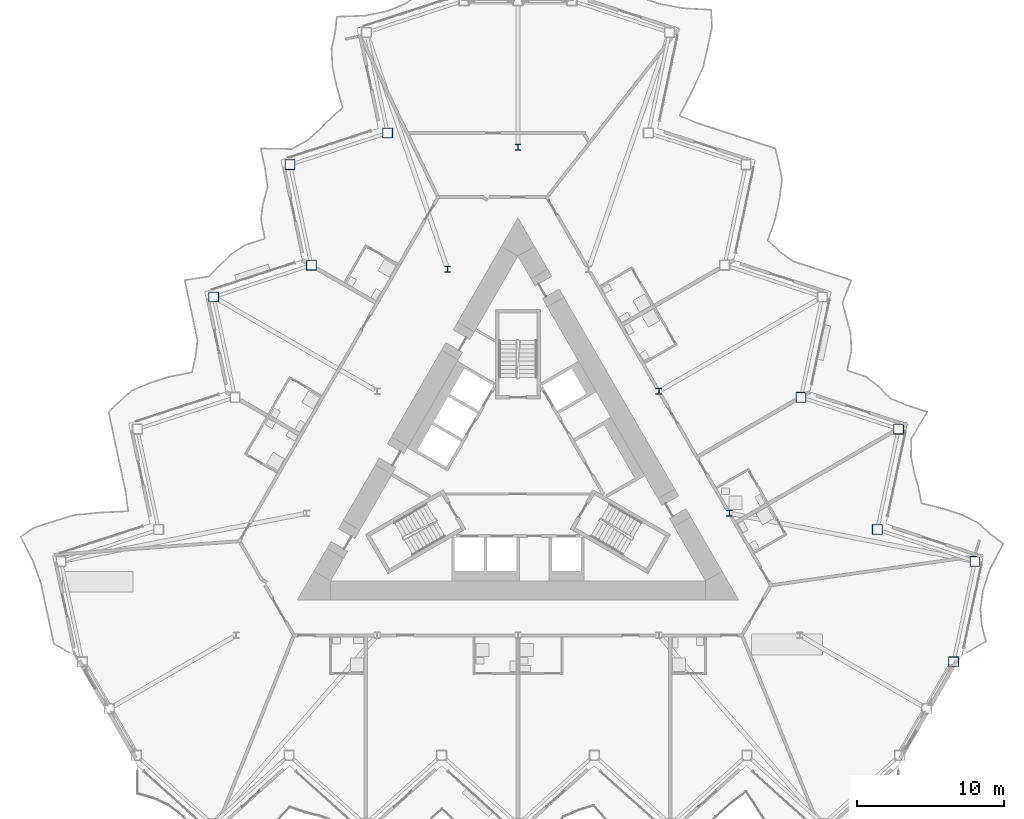
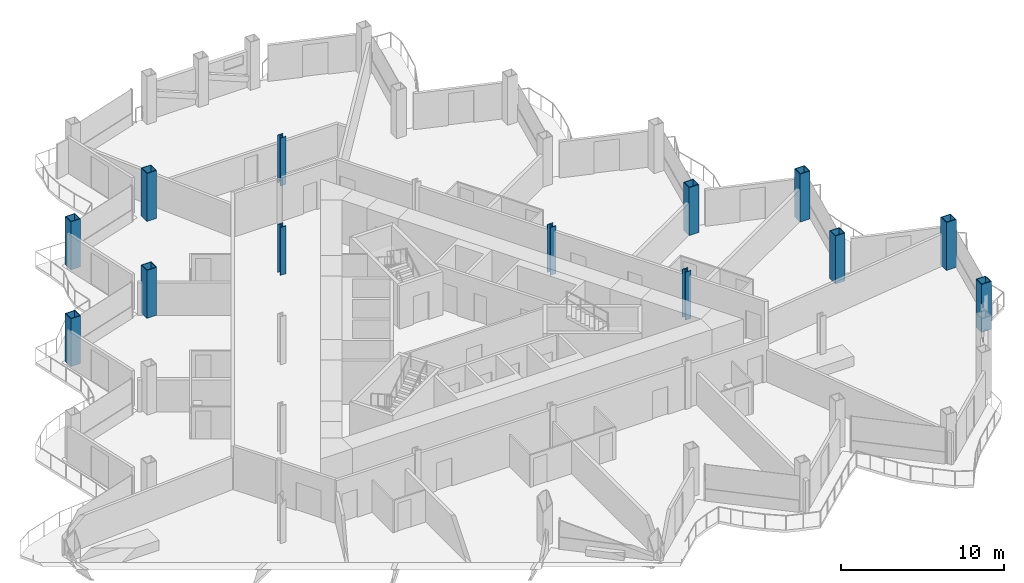
# One storey, part 2 of 24: 13 columns.
"""IFC4 building model written with IfcOpenShell, lengths in metres."""

from ifc_helpers import new_model, si_unit, direction, frame, origin, origin_2d, place, context, subcontext, project, spatial, hollow_rectangle, i_section, extrude, material, material_profile, profile_set, type_object, element, save


model = new_model("IFC4")

# Units and contexts
model_context = context("Model", 3, precision=1e-05, world=origin(), true_north=direction((0.0, 1.0)))
body_context = subcontext(model_context, "Body", "Model", "MODEL_VIEW")
ifc_project = project(units=[si_unit("LENGTHUNIT", "METRE"), si_unit("AREAUNIT", "SQUARE_METRE"), si_unit("VOLUMEUNIT", "CUBIC_METRE"), si_unit("PLANEANGLEUNIT", "RADIAN"), si_unit("MASSUNIT", "GRAM", prefix="KILO")], contexts=[model_context])

# Site, building, storey
site_placement = place(None, origin())
site = spatial("IfcSite", under=ifc_project, at=site_placement, CompositionType="ELEMENT")
building_placement = place(site_placement, origin())
building = spatial("IfcBuilding", under=site, at=building_placement, Name="Cormorant Prow Tower", CompositionType="ELEMENT")
storey_placement = place(building_placement, frame((0.0, 0.0, 234.60009765625)))
storey = spatial("IfcBuildingStorey", under=building, at=storey_placement, Name="L51", CompositionType="ELEMENT", Elevation=234.60009765625)

# Columns
ifc_material_1 = material(Name="Structural steel ASTM A572 Gr 50", Category="steel")
ifc_material_profile_1 = material_profile(ifc_material_1, hollow_rectangle(XDim=0.699951171875, YDim=0.699951171875, WallThickness=0.044921875, at=origin_2d()), Name="Box 700x700x45")
ifc_profile_set_1 = profile_set([ifc_material_profile_1], Name="Structural steel ASTM A572 Gr 50")
column_type_1 = type_object("IfcColumnType", Name="Perimeter box column 700x700x45", PredefinedType="COLUMN", material=ifc_profile_set_1)
for number, where, z_axis, x_axis, name in (
    (1, (29.611572265625, -12.858154296875, 0.0), (0.0, 0.0, 1.0), (1.0, 0.0, 0.0), "Perimeter column C5 at ENE00 L51"),
    (2, (31.063232421875, -6.029052734375, 0.0), (0.0, 0.0, 1.0), (1.0, 0.0, 0.0), "Perimeter column C5 at ENE01 L51"),
    (3, (24.42333984375, -3.871826171875, 0.0), (0.0, 0.0, 1.0), (1.0, 0.0, 0.0), "Perimeter column C5 at ENE02 L51"),
    (4, (25.875, 2.957275390625, 0.0), (0.0, 0.0, 1.0), (1.0, 0.0, 0.0), "Perimeter column C5 at ENE03 L51"),
    (5, (19.235107421875, 5.114501953125, 0.0), (0.0, 0.0, 1.0), (1.0, 0.0, 0.0), "Perimeter column C5 at ENE04 L51"),
    (6, (-8.858642578125, 23.087158203125, 0.0), (0.0, 0.0, 1.0), (1.0, 0.0, 0.0), "Perimeter column C5 at WNW02 L51"),
    (7, (-15.49853515625, 20.9296875, 0.0), (0.0, 0.0, 1.0), (1.0, 0.0, 0.0), "Perimeter column C5 at WNW03 L51"),
    (8, (-14.046875, 14.100830078125, 0.0), (0.0, 0.0, 1.0), (1.0, 0.0, 0.0), "Perimeter column C5 at WNW04 L51"),
    (9, (-20.686767578125, 11.943359375, 0.0), (0.0, 0.0, 1.0), (1.0, 0.0, 0.0), "Perimeter column C5 at WNW05 L51"),
):
    element("IfcColumn", number, at=place(storey_placement, frame(where, z_axis=z_axis, x_axis=x_axis)), inside=storey, type_object=column_type_1, Name=name, PredefinedType="COLUMN", context=body_context, shape_type="SweptSolid", body=[
        extrude(hollow_rectangle(XDim=0.699951171875, YDim=0.699951171875, WallThickness=0.044921875, at=origin_2d()), origin(), (0.0, 0.0, 1.0), 3.599853515625),
    ])
ifc_material_2 = material(Name="Structural steel ASTM A992 Gr 50", Category="steel")
ifc_material_profile_2 = material_profile(ifc_material_2, i_section(OverallWidth=0.39892578125, OverallDepth=0.393310546875, WebThickness=0.022705078125, FlangeThickness=0.03662109375, at=origin_2d()), Name="W14x193")
ifc_profile_set_2 = profile_set([ifc_material_profile_2], Name="Structural steel ASTM A992 Gr 50")
column_type_2 = type_object("IfcColumnType", Name="Ring column W14x193", PredefinedType="COLUMN", material=ifc_profile_set_2)
for number, where, z_axis, x_axis, name in (
    (10, (0.0, 22.12060546875, 0.0), (0.0, 0.0, 1.0), (1.0, 0.0, 0.0), "Ring column 1 L51"),
    (11, (-4.789306640625, 13.8251953125, 0.0), (0.0, 0.0, 1.0), (1.0, 0.0, 0.0), "Ring column 2 L51"),
    (12, (14.36767578125, -2.76513671875, 0.0), (0.0, 0.0, 1.0), (1.0, 0.0, 0.0), "Ring column 10 L51"),
    (13, (9.578369140625, 5.530029296875, 0.0), (0.0, 0.0, 1.0), (1.0, 0.0, 0.0), "Ring column 11 L51"),
):
    element("IfcColumn", number, at=place(storey_placement, frame(where, z_axis=z_axis, x_axis=x_axis)), inside=storey, type_object=column_type_2, Name=name, PredefinedType="COLUMN", context=body_context, shape_type="SweptSolid", body=[
        extrude(i_section(OverallWidth=0.39892578125, OverallDepth=0.393310546875, WebThickness=0.022705078125, FlangeThickness=0.03662109375, at=origin_2d()), origin(), (0.0, 0.0, 1.0), 3.599853515625),
    ])

save(model, "model.ifc")
